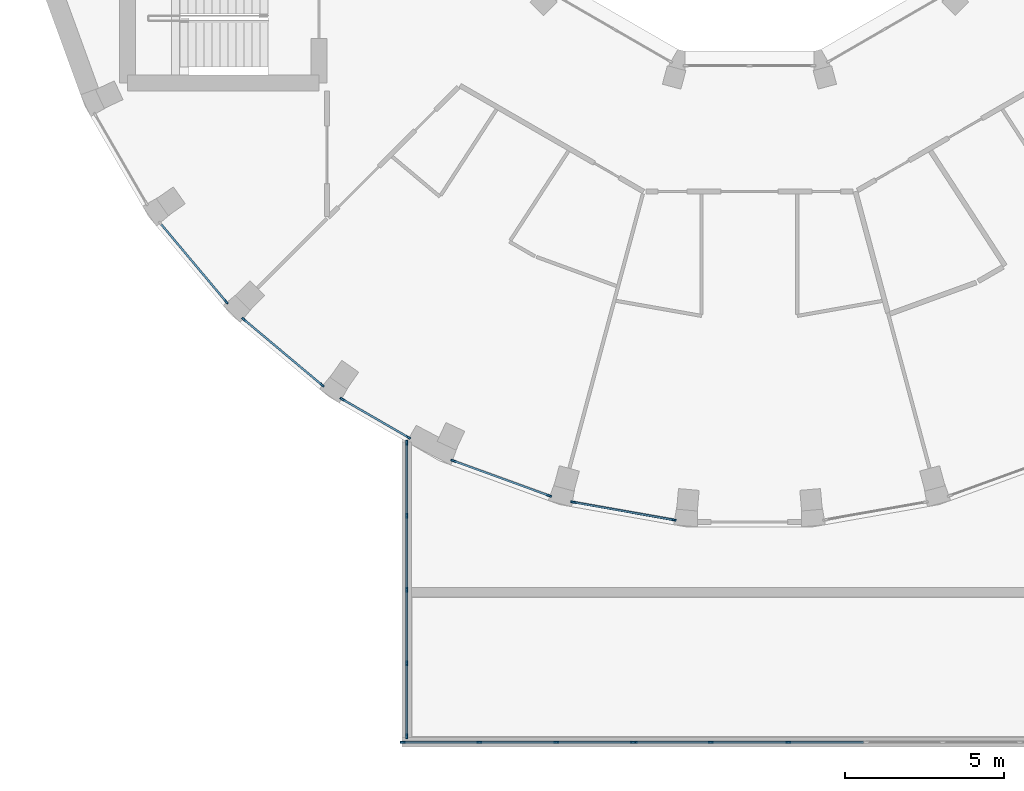
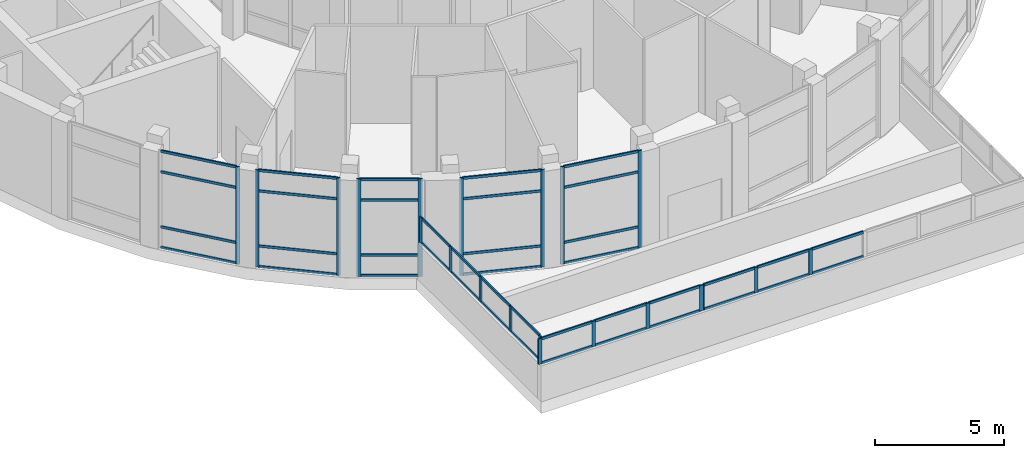
# One storey, part 2 of 19: 61 members, 8 elements without a shape of their own.
"""IFC4 building model written with IfcOpenShell, lengths in metres."""

import ifcopenshell
import ifcopenshell.guid

model = None  # the IFC model being written
_history = None  # IfcOwnerHistory: only IFC2X3 demands one
_inside = {}  # id of a spatial element -> (the spatial element, [elements in it])
_under = {}  # id of a project, library or spatial element -> (it, [spatial elements below it])
_declared = {}  # id of a project -> (the project, [libraries it declares])
_typed = {}  # id of a type object -> (the type object, [elements of that type])
_made_of = {}  # id of a material, layer set ... -> (it, [elements and type objects made of it])


def new_model(schema):
    """Start an empty IFC model of exactly this schema.

    Asked for "IFC4X3", IfcOpenShell would pick the latest addendum, in which some entities
    have other attributes; the version numbers below select the first issue.
    IFC2X3 requires an IfcOwnerHistory on every rooted entity: one is made here for all.
    """
    global model, _history
    if schema == "IFC4X3":
        model = ifcopenshell.file(schema_version=(4, 3, 0, 0))
    else:
        model = ifcopenshell.file(schema=schema)
    _inside.clear()
    _under.clear()
    _declared.clear()
    _typed.clear()
    _made_of.clear()
    _history = None
    if model.schema == "IFC2X3":
        org = make("IfcOrganization", Name="unknown")
        user = make(
            "IfcPersonAndOrganization",
            ThePerson=make("IfcPerson", FamilyName="unknown"),
            TheOrganization=org,
        )
        app = make(
            "IfcApplication",
            ApplicationDeveloper=org,
            Version="unknown",
            ApplicationFullName="unknown",
            ApplicationIdentifier="unknown",
        )
        _history = make(
            "IfcOwnerHistory",
            OwningUser=user,
            OwningApplication=app,
            ChangeAction="ADDED",
            CreationDate=0,
        )
    return model


def make(cls, **values):
    """One entity of the class cls with the attributes given. An attribute that is None is left unset."""
    return model.create_entity(
        cls, **{name: value for name, value in values.items() if value is not None}
    )


def rooted(cls, **values):
    """An entity with a GlobalId (a new one), such as an element, a storey or a relation."""
    return make(cls, GlobalId=ifcopenshell.guid.new(), OwnerHistory=_history, **values)


def si_unit(unit_type, name, prefix=None):
    """IfcSIUnit, for example si_unit("LENGTHUNIT", "METRE", prefix="MILLI")."""
    return make("IfcSIUnit", UnitType=unit_type, Prefix=prefix, Name=name)


def assignment(units):
    """IfcUnitAssignment: the units of a project."""
    return None if units is None else make("IfcUnitAssignment", Units=units)


def point(xyz):
    """IfcCartesianPoint."""
    return None if xyz is None else make("IfcCartesianPoint", Coordinates=xyz)


def direction(xyz):
    """IfcDirection."""
    return None if xyz is None else make("IfcDirection", DirectionRatios=xyz)


def frame(location, z_axis=None, x_axis=None):
    """IfcAxis2Placement3D, a coordinate frame: its origin and axes. An axis left out is left unset."""
    return make(
        "IfcAxis2Placement3D",
        Location=point(location),
        Axis=direction(z_axis),
        RefDirection=direction(x_axis),
    )


def frame_2d(location, x_axis=None):
    """IfcAxis2Placement2D, a coordinate frame in the plane: its origin and x axis."""
    return make(
        "IfcAxis2Placement2D", Location=point(location), RefDirection=direction(x_axis)
    )


def origin():
    """The frame at (0, 0, 0) with its axes left unset."""
    return frame((0.0, 0.0, 0.0))


def origin_2d():
    """The frame at (0, 0) in the plane with its x axis left unset."""
    return frame_2d((0.0, 0.0))


def place(relative_to, where):
    """IfcLocalPlacement: puts the frame where relative to a parent placement (None: the world)."""
    return make(
        "IfcLocalPlacement", PlacementRelTo=relative_to, RelativePlacement=where
    )


def context(
    kind, dimensions, precision=None, world=None, true_north=None, identifier=None
):
    """IfcGeometricRepresentationContext, for example the 3D "Model" context."""
    return make(
        "IfcGeometricRepresentationContext",
        ContextIdentifier=identifier,
        ContextType=kind,
        CoordinateSpaceDimension=dimensions,
        Precision=precision,
        WorldCoordinateSystem=world,
        TrueNorth=true_north,
    )


def subcontext(parent, identifier, kind, view, scale=None):
    """IfcGeometricRepresentationSubContext, for example "Body" below "Model"."""
    return make(
        "IfcGeometricRepresentationSubContext",
        ContextIdentifier=identifier,
        ContextType=kind,
        ParentContext=parent,
        TargetScale=scale,
        TargetView=view,
    )


def project(units=None, contexts=None):
    """IfcProject with its units and contexts."""
    return rooted(
        "IfcProject",
        Name="project",
        RepresentationContexts=contexts,
        UnitsInContext=assignment(units),
    )


def spatial(cls, under=None, at=None, **own):
    """A site, building, storey or space (cls), placed at a placement, below another one or the project."""
    s = rooted(cls, ObjectPlacement=at, **own)
    if under is not None:
        _under.setdefault(under.id(), (under, []))[1].append(s)
    return s


def profile(cls, at=None, kind="AREA", **sizes):
    """A parametric profile (cls). Its sizes go by their IFC names, for example OverallWidth=200.0."""
    return make(cls, ProfileType=kind, Position=at, **sizes)


def rectangle(**sizes):
    """IfcRectangleProfileDef."""
    return profile("IfcRectangleProfileDef", **sizes)


def extrude(swept, where, along, depth):
    """IfcExtrudedAreaSolid: the profile swept, set in the frame where, extruded along a direction by depth."""
    return make(
        "IfcExtrudedAreaSolid",
        SweptArea=swept,
        Position=where,
        ExtrudedDirection=direction(along),
        Depth=depth,
    )


def shape(context_of_items, identifier, shape_type, items):
    """IfcShapeRepresentation: the items that make up one representation, for example the "Body"."""
    return make(
        "IfcShapeRepresentation",
        ContextOfItems=context_of_items,
        RepresentationIdentifier=identifier,
        RepresentationType=shape_type,
        Items=items,
    )


def material(Name=None, Category=None):
    """IfcMaterial."""
    return make("IfcMaterial", Name=Name, Category=Category)


def layer(
    of_material, thickness, ventilated=None, Name=None, Category=None, Priority=None
):
    """IfcMaterialLayer: one layer of a wall or slab, of a material (None: an air gap)."""
    return make(
        "IfcMaterialLayer",
        Material=of_material,
        LayerThickness=thickness,
        IsVentilated=ventilated,
        Name=Name,
        Category=Category,
        Priority=Priority,
    )


def layer_set(layers, Name=None):
    """IfcMaterialLayerSet."""
    return make("IfcMaterialLayerSet", MaterialLayers=layers, LayerSetName=Name)


def material_profile(
    of_material, cross_section, Name=None, Category=None, Priority=None
):
    """IfcMaterialProfile: a cross section and its material."""
    return make(
        "IfcMaterialProfile",
        Name=Name,
        Material=of_material,
        Profile=cross_section,
        Priority=Priority,
        Category=Category,
    )


def profile_set(profiles, Name=None, composite=None):
    """IfcMaterialProfileSet."""
    return make(
        "IfcMaterialProfileSet",
        Name=Name,
        MaterialProfiles=profiles,
        CompositeProfile=composite,
    )


def made_of(thing, what):
    """Note that an element or type object is made of a material, layer set ...; save() writes the relation."""
    if what is not None:
        _made_of.setdefault(what.id(), (what, []))[1].append(thing)
    return thing


def type_object(cls, material=None, **own):
    """A type object (cls), such as IfcWallType, which elements share."""
    return made_of(rooted(cls, **own), material)


def element(
    cls,
    number,
    at=None,
    inside=None,
    cuts=None,
    type_object=None,
    material=None,
    context=None,
    identifier="Body",
    shape_type=None,
    held_by="IfcProductDefinitionShape",
    body=None,
    shapes=None,
    **own,
):
    """One element of the class cls, such as IfcWall. Its Tag is "e" and its number.

    at: its placement. inside: the storey or other place that contains it. cuts: it is an
    opening in that element (IfcRelVoidsElement). A single representation is given by context,
    identifier, shape_type and body (its items); several are given by shapes. held_by: the class
    of the entity that holds the representations. save() writes the other relations.
    """
    e = rooted(cls, Tag="e%d" % number, ObjectPlacement=at, **own)
    if body is not None:
        shapes = [shape(context, identifier, shape_type, body)]
    if shapes is not None:
        e.Representation = make(held_by, Representations=shapes)
    if inside is not None:
        _inside.setdefault(inside.id(), (inside, []))[1].append(e)
    if cuts is not None:
        rooted(
            "IfcRelVoidsElement", RelatingBuildingElement=cuts, RelatedOpeningElement=e
        )
    if type_object is not None:
        _typed.setdefault(type_object.id(), (type_object, []))[1].append(e)
    return made_of(e, material)


def aggregate(whole, parts):
    """IfcRelAggregates: a whole, such as a stair, and the parts it consists of."""
    return rooted("IfcRelAggregates", RelatingObject=whole, RelatedObjects=parts)


def save(model, path):
    """Write the relations noted so far, then the file.

    IfcRelAggregates (storeys below a building ...), IfcRelContainedInSpatialStructure (elements
    in a storey), IfcRelDefinesByType, IfcRelAssociatesMaterial and IfcRelDeclares: one each for
    every whole, place, type object, material and project.
    """
    for whole, parts in _under.values():
        aggregate(whole, parts)
    for where, things in _inside.values():
        rooted(
            "IfcRelContainedInSpatialStructure",
            RelatedElements=things,
            RelatingStructure=where,
        )
    for kind, things in _typed.values():
        rooted("IfcRelDefinesByType", RelatedObjects=things, RelatingType=kind)
    for what, things in _made_of.values():
        rooted("IfcRelAssociatesMaterial", RelatedObjects=things, RelatingMaterial=what)
    for by, libraries in _declared.values():
        rooted("IfcRelDeclares", RelatingContext=by, RelatedDefinitions=libraries)
    model.write(path)


model = new_model("IFC4")

# Units and contexts
model_context = context("Model", 3, precision=1e-05, world=origin(), true_north=direction((0.0, 1.0)))
body_context = subcontext(model_context, "Body", "Model", "MODEL_VIEW")
ifc_project = project(units=[si_unit("LENGTHUNIT", "METRE"), si_unit("AREAUNIT", "SQUARE_METRE"), si_unit("VOLUMEUNIT", "CUBIC_METRE"), si_unit("PLANEANGLEUNIT", "RADIAN"), si_unit("MASSUNIT", "GRAM", prefix="KILO")], contexts=[model_context])

# Site, building, storey
site_placement = place(None, origin())
site = spatial("IfcSite", under=ifc_project, at=site_placement, CompositionType="ELEMENT")
building_placement = place(site_placement, origin())
building = spatial("IfcBuilding", under=site, at=building_placement, Name="Saqina Gate Tower", CompositionType="ELEMENT")
storey_placement = place(building_placement, frame((0.0, 0.0, 224.699951171875)))
storey = spatial("IfcBuildingStorey", under=building, at=storey_placement, Name="L64", CompositionType="ELEMENT", Elevation=224.699951171875)

# Curtain wall, member
ifc_material_1 = material(Name="Aluminium glazing", Category="aluminium")
ifc_layer_1 = layer(ifc_material_1, 0.159912109375)
ifc_layer_set_1 = layer_set([ifc_layer_1], Name="CWT-2")
curtain_wall_type_1 = type_object("IfcCurtainWallType", Name="CWT-2", PredefinedType="NOTDEFINED", material=ifc_layer_set_1)
curtain_wall_1_placement = place(storey_placement, origin())
curtain_wall_1 = element("IfcCurtainWall", 1, at=curtain_wall_1_placement, inside=storey, type_object=curtain_wall_type_1, Name="Sky lounge glazing facet 22", PredefinedType="NOTDEFINED")
ifc_material_2 = material(Name="Aluminium", Category="aluminium")
ifc_material_profile_1 = material_profile(ifc_material_2, rectangle(XDim=0.06005859375, YDim=0.159912109375, at=origin_2d()), Name="Aluminium 60x160")
ifc_profile_set_1 = profile_set([ifc_material_profile_1], Name="Aluminium")
member_type_1 = type_object("IfcMemberType", Name="CWT-2M", PredefinedType="MULLION", material=ifc_profile_set_1)
member_1_placement = place(storey_placement, frame((-16.411376953125, -15.85400390625, 0.0), z_axis=(0.0, 0.0, 1.0), x_axis=(0.766046452821, 0.642785214609, 0.0)))
member_1 = element("IfcMember", 2, at=member_1_placement, type_object=member_type_1, Name="CW2-22 mullion 2", PredefinedType="MULLION", context=body_context, shape_type="SweptSolid", body=[
    extrude(rectangle(XDim=0.06005859375, YDim=0.159912109375, at=origin_2d()), origin(), (0.0, 0.0, 1.0), 4.60009765625),
])

# Curtain wall, members
curtain_wall_2_placement = place(storey_placement, origin())
curtain_wall_2 = element("IfcCurtainWall", 3, at=curtain_wall_2_placement, inside=storey, type_object=curtain_wall_type_1, Name="Sky lounge glazing facet 23", PredefinedType="NOTDEFINED")
member_2_placement = place(storey_placement, frame((-15.85400390625, -16.411376953125, 0.0), z_axis=(0.0, 0.0, 1.0), x_axis=(0.642785214609, 0.766046452821, 0.0)))
member_2 = element("IfcMember", 4, at=member_2_placement, type_object=member_type_1, Name="CW2-23 mullion 1", PredefinedType="MULLION", context=body_context, shape_type="SweptSolid", body=[
    extrude(rectangle(XDim=0.06005859375, YDim=0.159912109375, at=origin_2d()), origin(), (0.0, 0.0, 1.0), 4.60009765625),
])
member_3_placement = place(storey_placement, frame((-13.408935546875, -18.462890625, 0.0), z_axis=(0.0, 0.0, 1.0), x_axis=(0.642785214609, 0.766046452821, 0.0)))
member_3 = element("IfcMember", 5, at=member_3_placement, type_object=member_type_1, Name="CW2-23 mullion 2", PredefinedType="MULLION", context=body_context, shape_type="SweptSolid", body=[
    extrude(rectangle(XDim=0.06005859375, YDim=0.159912109375, at=origin_2d()), origin(), (0.0, 0.0, 1.0), 4.60009765625),
])

curtain_wall_3_placement = place(storey_placement, origin())
curtain_wall_3 = element("IfcCurtainWall", 6, at=curtain_wall_3_placement, inside=storey, type_object=curtain_wall_type_1, Name="Sky lounge glazing facet 24", PredefinedType="NOTDEFINED")
member_4_placement = place(storey_placement, frame((-12.763427734375, -18.9150390625, 0.0), z_axis=(0.0, 0.0, 1.0), x_axis=(0.499971836646, 0.866041663294, 0.0)))
member_4 = element("IfcMember", 7, at=member_4_placement, type_object=member_type_1, Name="CW2-24 mullion 1", PredefinedType="MULLION", context=body_context, shape_type="SweptSolid", body=[
    extrude(rectangle(XDim=0.06005859375, YDim=0.159912109375, at=origin_2d()), origin(), (0.0, 0.0, 1.0), 4.60009765625),
])
member_5_placement = place(storey_placement, frame((-10.700927734375, -20.105712890625, 0.0), z_axis=(0.0, 0.0, 1.0), x_axis=(0.499971836646, 0.866041663294, 0.0)))
member_5 = element("IfcMember", 8, at=member_5_placement, type_object=member_type_1, Name="CW2-24 mullion 2", PredefinedType="MULLION", context=body_context, shape_type="SweptSolid", body=[
    extrude(rectangle(XDim=0.06005859375, YDim=0.159912109375, at=origin_2d()), origin(), (0.0, 0.0, 1.0), 4.60009765625),
])

curtain_wall_4_placement = place(storey_placement, origin())
curtain_wall_4 = element("IfcCurtainWall", 9, at=curtain_wall_4_placement, inside=storey, type_object=curtain_wall_type_1, Name="Sky lounge glazing facet 25", PredefinedType="NOTDEFINED")
member_6_placement = place(storey_placement, frame((-9.284912109375, -20.843994140625, 0.0), z_axis=(0.0, 0.0, 1.0), x_axis=(0.342007258437, 0.939697310402, 0.0)))
member_6 = element("IfcMember", 10, at=member_6_placement, type_object=member_type_1, Name="CW2-25 mullion 1", PredefinedType="MULLION", context=body_context, shape_type="SweptSolid", body=[
    extrude(rectangle(XDim=0.06005859375, YDim=0.159912109375, at=origin_2d()), origin(), (0.0, 0.0, 1.0), 4.60009765625),
])
member_7_placement = place(storey_placement, frame((-6.28564453125, -21.935546875, 0.0), z_axis=(0.0, 0.0, 1.0), x_axis=(0.342007258437, 0.939697310402, 0.0)))
member_7 = element("IfcMember", 11, at=member_7_placement, type_object=member_type_1, Name="CW2-25 mullion 2", PredefinedType="MULLION", context=body_context, shape_type="SweptSolid", body=[
    extrude(rectangle(XDim=0.06005859375, YDim=0.159912109375, at=origin_2d()), origin(), (0.0, 0.0, 1.0), 4.60009765625),
])

curtain_wall_5_placement = place(storey_placement, origin())
curtain_wall_5 = element("IfcCurtainWall", 12, at=curtain_wall_5_placement, inside=storey, type_object=curtain_wall_type_1, Name="Sky lounge glazing facet 26", PredefinedType="NOTDEFINED")
member_8_placement = place(storey_placement, frame((-5.524169921875, -22.139404296875, 0.0), z_axis=(0.0, 0.0, 1.0), x_axis=(0.173662526718, 0.984805222779, 0.0)))
member_8 = element("IfcMember", 13, at=member_8_placement, type_object=member_type_1, Name="CW2-26 mullion 1", PredefinedType="MULLION", context=body_context, shape_type="SweptSolid", body=[
    extrude(rectangle(XDim=0.06005859375, YDim=0.159912109375, at=origin_2d()), origin(), (0.0, 0.0, 1.0), 4.60009765625),
])
member_9_placement = place(storey_placement, frame((-2.381103515625, -22.69384765625, 0.0), z_axis=(0.0, 0.0, 1.0), x_axis=(0.173662526718, 0.984805222779, 0.0)))
member_9 = element("IfcMember", 14, at=member_9_placement, type_object=member_type_1, Name="CW2-26 mullion 2", PredefinedType="MULLION", context=body_context, shape_type="SweptSolid", body=[
    extrude(rectangle(XDim=0.06005859375, YDim=0.159912109375, at=origin_2d()), origin(), (0.0, 0.0, 1.0), 4.60009765625),
])

# Member
ifc_material_3 = material(Name="Aluminium", Category="aluminium")
ifc_material_profile_2 = material_profile(ifc_material_3, rectangle(XDim=0.06005859375, YDim=0.1201171875, at=origin_2d()), Name="Aluminium 60x120")
ifc_profile_set_2 = profile_set([ifc_material_profile_2], Name="Aluminium")
member_type_2 = type_object("IfcMemberType", Name="CWT-2T", PredefinedType="USERDEFINED", material=ifc_profile_set_2)
member_10_placement = place(storey_placement, frame((-18.443603515625, -13.431884765625, 0.030029296875), z_axis=(0.642749544244, -0.766076382206, 0.0), x_axis=(0.766076382206, 0.642749544244, 0.0)))
member_10 = element("IfcMember", 15, at=member_10_placement, type_object=member_type_2, Name="CW2-22 transom 1.1", ObjectType="TRANSOM", PredefinedType="USERDEFINED", context=body_context, shape_type="SweptSolid", body=[
    extrude(rectangle(XDim=0.06005859375, YDim=0.1201171875, at=origin_2d()), origin(), (0.0, 0.0, 1.0), 3.1318359375),
])

member_11_placement = place(storey_placement, frame((-18.443603515625, -13.431884765625, 1.0), z_axis=(0.642749544244, -0.766076382206, 0.0), x_axis=(0.766076382206, 0.642749544244, 0.0)))
member_11 = element("IfcMember", 16, at=member_11_placement, type_object=member_type_2, Name="CW2-22 transom 1.2", ObjectType="TRANSOM", PredefinedType="USERDEFINED", context=body_context, shape_type="SweptSolid", body=[
    extrude(rectangle(XDim=0.06005859375, YDim=0.1201171875, at=origin_2d()), origin(), (0.0, 0.0, 1.0), 3.1318359375),
])

member_12_placement = place(storey_placement, frame((-18.443603515625, -13.431884765625, 3.60009765625), z_axis=(0.642749544244, -0.766076382206, 0.0), x_axis=(0.766076382206, 0.642749544244, 0.0)))
member_12 = element("IfcMember", 17, at=member_12_placement, type_object=member_type_2, Name="CW2-22 transom 1.3", ObjectType="TRANSOM", PredefinedType="USERDEFINED", context=body_context, shape_type="SweptSolid", body=[
    extrude(rectangle(XDim=0.06005859375, YDim=0.1201171875, at=origin_2d()), origin(), (0.0, 0.0, 1.0), 3.1318359375),
])

member_13_placement = place(storey_placement, frame((-18.443603515625, -13.431884765625, 4.570068359375), z_axis=(0.642749544244, -0.766076382206, 0.0), x_axis=(0.766076382206, 0.642749544244, 0.0)))
member_13 = element("IfcMember", 18, at=member_13_placement, type_object=member_type_2, Name="CW2-22 transom 1.4", ObjectType="TRANSOM", PredefinedType="USERDEFINED", context=body_context, shape_type="SweptSolid", body=[
    extrude(rectangle(XDim=0.06005859375, YDim=0.1201171875, at=origin_2d()), origin(), (0.0, 0.0, 1.0), 3.1318359375),
])

aggregate(curtain_wall_1, [member_1, member_10, member_11, member_12, member_13])

member_14_placement = place(storey_placement, frame((-15.8310546875, -16.4306640625, 0.030029296875), z_axis=(0.766076382206, -0.642749544244, 0.0), x_axis=(0.642749544244, 0.766076382206, 0.0)))
member_14 = element("IfcMember", 19, at=member_14_placement, type_object=member_type_2, Name="CW2-23 transom 1.1", ObjectType="TRANSOM", PredefinedType="USERDEFINED", context=body_context, shape_type="SweptSolid", body=[
    extrude(rectangle(XDim=0.06005859375, YDim=0.1201171875, at=origin_2d()), origin(), (0.0, 0.0, 1.0), 3.1318359375),
])

member_15_placement = place(storey_placement, frame((-15.8310546875, -16.4306640625, 1.0), z_axis=(0.766076382206, -0.642749544244, 0.0), x_axis=(0.642749544244, 0.766076382206, 0.0)))
member_15 = element("IfcMember", 20, at=member_15_placement, type_object=member_type_2, Name="CW2-23 transom 1.2", ObjectType="TRANSOM", PredefinedType="USERDEFINED", context=body_context, shape_type="SweptSolid", body=[
    extrude(rectangle(XDim=0.06005859375, YDim=0.1201171875, at=origin_2d()), origin(), (0.0, 0.0, 1.0), 3.1318359375),
])

member_16_placement = place(storey_placement, frame((-15.8310546875, -16.4306640625, 3.60009765625), z_axis=(0.766076382206, -0.642749544244, 0.0), x_axis=(0.642749544244, 0.766076382206, 0.0)))
member_16 = element("IfcMember", 21, at=member_16_placement, type_object=member_type_2, Name="CW2-23 transom 1.3", ObjectType="TRANSOM", PredefinedType="USERDEFINED", context=body_context, shape_type="SweptSolid", body=[
    extrude(rectangle(XDim=0.06005859375, YDim=0.1201171875, at=origin_2d()), origin(), (0.0, 0.0, 1.0), 3.1318359375),
])

member_17_placement = place(storey_placement, frame((-15.8310546875, -16.4306640625, 4.570068359375), z_axis=(0.766076382206, -0.642749544244, 0.0), x_axis=(0.642749544244, 0.766076382206, 0.0)))
member_17 = element("IfcMember", 22, at=member_17_placement, type_object=member_type_2, Name="CW2-23 transom 1.4", ObjectType="TRANSOM", PredefinedType="USERDEFINED", context=body_context, shape_type="SweptSolid", body=[
    extrude(rectangle(XDim=0.06005859375, YDim=0.1201171875, at=origin_2d()), origin(), (0.0, 0.0, 1.0), 3.1318359375),
])

aggregate(curtain_wall_2, [member_2, member_3, member_14, member_15, member_16, member_17])

member_18_placement = place(storey_placement, frame((-12.7373046875, -18.929931640625, 0.030029296875), z_axis=(0.866020945878, -0.500007721242, 0.0), x_axis=(0.500007721242, 0.866020945878, 0.0)))
member_18 = element("IfcMember", 23, at=member_18_placement, type_object=member_type_2, Name="CW2-24 transom 1.1", ObjectType="TRANSOM", PredefinedType="USERDEFINED", context=body_context, shape_type="SweptSolid", body=[
    extrude(rectangle(XDim=0.06005859375, YDim=0.1201171875, at=origin_2d()), origin(), (0.0, 0.0, 1.0), 2.3212890625),
])

member_19_placement = place(storey_placement, frame((-12.7373046875, -18.929931640625, 1.0), z_axis=(0.866020945878, -0.500007721242, 0.0), x_axis=(0.500007721242, 0.866020945878, 0.0)))
member_19 = element("IfcMember", 24, at=member_19_placement, type_object=member_type_2, Name="CW2-24 transom 1.2", ObjectType="TRANSOM", PredefinedType="USERDEFINED", context=body_context, shape_type="SweptSolid", body=[
    extrude(rectangle(XDim=0.06005859375, YDim=0.1201171875, at=origin_2d()), origin(), (0.0, 0.0, 1.0), 2.3212890625),
])

member_20_placement = place(storey_placement, frame((-12.7373046875, -18.929931640625, 3.60009765625), z_axis=(0.866020945878, -0.500007721242, 0.0), x_axis=(0.500007721242, 0.866020945878, 0.0)))
member_20 = element("IfcMember", 25, at=member_20_placement, type_object=member_type_2, Name="CW2-24 transom 1.3", ObjectType="TRANSOM", PredefinedType="USERDEFINED", context=body_context, shape_type="SweptSolid", body=[
    extrude(rectangle(XDim=0.06005859375, YDim=0.1201171875, at=origin_2d()), origin(), (0.0, 0.0, 1.0), 2.3212890625),
])

member_21_placement = place(storey_placement, frame((-12.7373046875, -18.929931640625, 4.570068359375), z_axis=(0.866020945878, -0.500007721242, 0.0), x_axis=(0.500007721242, 0.866020945878, 0.0)))
member_21 = element("IfcMember", 26, at=member_21_placement, type_object=member_type_2, Name="CW2-24 transom 1.4", ObjectType="TRANSOM", PredefinedType="USERDEFINED", context=body_context, shape_type="SweptSolid", body=[
    extrude(rectangle(XDim=0.06005859375, YDim=0.1201171875, at=origin_2d()), origin(), (0.0, 0.0, 1.0), 2.3212890625),
])

aggregate(curtain_wall_3, [member_4, member_5, member_18, member_19, member_20, member_21])

member_22_placement = place(storey_placement, frame((-9.256591796875, -20.854248046875, 0.030029296875), z_axis=(0.939700067025, -0.341999684258, 0.0), x_axis=(0.341999684258, 0.939700067025, 0.0)))
member_22 = element("IfcMember", 27, at=member_22_placement, type_object=member_type_2, Name="CW2-25 transom 1.1", ObjectType="TRANSOM", PredefinedType="USERDEFINED", context=body_context, shape_type="SweptSolid", body=[
    extrude(rectangle(XDim=0.06005859375, YDim=0.1201171875, at=origin_2d()), origin(), (0.0, 0.0, 1.0), 3.131591796875),
])

member_23_placement = place(storey_placement, frame((-9.256591796875, -20.854248046875, 1.0), z_axis=(0.939700067025, -0.341999684258, 0.0), x_axis=(0.341999684258, 0.939700067025, 0.0)))
member_23 = element("IfcMember", 28, at=member_23_placement, type_object=member_type_2, Name="CW2-25 transom 1.2", ObjectType="TRANSOM", PredefinedType="USERDEFINED", context=body_context, shape_type="SweptSolid", body=[
    extrude(rectangle(XDim=0.06005859375, YDim=0.1201171875, at=origin_2d()), origin(), (0.0, 0.0, 1.0), 3.131591796875),
])

member_24_placement = place(storey_placement, frame((-9.256591796875, -20.854248046875, 3.60009765625), z_axis=(0.939700067025, -0.341999684258, 0.0), x_axis=(0.341999684258, 0.939700067025, 0.0)))
member_24 = element("IfcMember", 29, at=member_24_placement, type_object=member_type_2, Name="CW2-25 transom 1.3", ObjectType="TRANSOM", PredefinedType="USERDEFINED", context=body_context, shape_type="SweptSolid", body=[
    extrude(rectangle(XDim=0.06005859375, YDim=0.1201171875, at=origin_2d()), origin(), (0.0, 0.0, 1.0), 3.131591796875),
])

member_25_placement = place(storey_placement, frame((-9.256591796875, -20.854248046875, 4.570068359375), z_axis=(0.939700067025, -0.341999684258, 0.0), x_axis=(0.341999684258, 0.939700067025, 0.0)))
member_25 = element("IfcMember", 30, at=member_25_placement, type_object=member_type_2, Name="CW2-25 transom 1.4", ObjectType="TRANSOM", PredefinedType="USERDEFINED", context=body_context, shape_type="SweptSolid", body=[
    extrude(rectangle(XDim=0.06005859375, YDim=0.1201171875, at=origin_2d()), origin(), (0.0, 0.0, 1.0), 3.131591796875),
])

aggregate(curtain_wall_4, [member_6, member_7, member_22, member_23, member_24, member_25])

member_26_placement = place(storey_placement, frame((-5.49462890625, -22.144775390625, 0.030029296875), z_axis=(0.984812584506, -0.173620774675, 0.0), x_axis=(0.173620774675, 0.984812584506, 0.0)))
member_26 = element("IfcMember", 31, at=member_26_placement, type_object=member_type_2, Name="CW2-26 transom 1.1", ObjectType="TRANSOM", PredefinedType="USERDEFINED", context=body_context, shape_type="SweptSolid", body=[
    extrude(rectangle(XDim=0.06005859375, YDim=0.1201171875, at=origin_2d()), origin(), (0.0, 0.0, 1.0), 3.131591796875),
])

member_27_placement = place(storey_placement, frame((-5.49462890625, -22.144775390625, 1.0), z_axis=(0.984812584506, -0.173620774675, 0.0), x_axis=(0.173620774675, 0.984812584506, 0.0)))
member_27 = element("IfcMember", 32, at=member_27_placement, type_object=member_type_2, Name="CW2-26 transom 1.2", ObjectType="TRANSOM", PredefinedType="USERDEFINED", context=body_context, shape_type="SweptSolid", body=[
    extrude(rectangle(XDim=0.06005859375, YDim=0.1201171875, at=origin_2d()), origin(), (0.0, 0.0, 1.0), 3.131591796875),
])

member_28_placement = place(storey_placement, frame((-5.49462890625, -22.144775390625, 3.60009765625), z_axis=(0.984812584506, -0.173620774675, 0.0), x_axis=(0.173620774675, 0.984812584506, 0.0)))
member_28 = element("IfcMember", 33, at=member_28_placement, type_object=member_type_2, Name="CW2-26 transom 1.3", ObjectType="TRANSOM", PredefinedType="USERDEFINED", context=body_context, shape_type="SweptSolid", body=[
    extrude(rectangle(XDim=0.06005859375, YDim=0.1201171875, at=origin_2d()), origin(), (0.0, 0.0, 1.0), 3.131591796875),
])

member_29_placement = place(storey_placement, frame((-5.49462890625, -22.144775390625, 4.570068359375), z_axis=(0.984812584506, -0.173620774675, 0.0), x_axis=(0.173620774675, 0.984812584506, 0.0)))
member_29 = element("IfcMember", 34, at=member_29_placement, type_object=member_type_2, Name="CW2-26 transom 1.4", ObjectType="TRANSOM", PredefinedType="USERDEFINED", context=body_context, shape_type="SweptSolid", body=[
    extrude(rectangle(XDim=0.06005859375, YDim=0.1201171875, at=origin_2d()), origin(), (0.0, 0.0, 1.0), 3.131591796875),
])

aggregate(curtain_wall_5, [member_8, member_9, member_26, member_27, member_28, member_29])

# Curtain wall, members
ifc_material_4 = material(Name="Aluminium glazing", Category="aluminium")
ifc_layer_2 = layer(ifc_material_4, 0.159912109375)
ifc_layer_set_2 = layer_set([ifc_layer_2], Name="CWT-6")
curtain_wall_type_2 = type_object("IfcCurtainWallType", Name="CWT-6", PredefinedType="NOTDEFINED", material=ifc_layer_set_2)
curtain_wall_6_placement = place(storey_placement, origin())
curtain_wall_6 = element("IfcCurtainWall", 35, at=curtain_wall_6_placement, inside=storey, type_object=curtain_wall_type_2, Name="Sky pool glass S1", PredefinedType="NOTDEFINED")
ifc_material_5 = material(Name="Aluminium", Category="aluminium")
ifc_material_profile_3 = material_profile(ifc_material_5, rectangle(XDim=0.06005859375, YDim=0.159912109375, at=origin_2d()), Name="Aluminium 60x160")
ifc_profile_set_3 = profile_set([ifc_material_profile_3], Name="Aluminium")
member_type_3 = type_object("IfcMemberType", Name="CWT-6M", PredefinedType="MULLION", material=ifc_profile_set_3)
member_30_placement = place(storey_placement, frame((-10.8701171875, -29.66259765625, 1.699951171875), z_axis=(0.0, 0.0, 1.0), x_axis=(0.0, 1.0, 0.0)))
member_30 = element("IfcMember", 36, at=member_30_placement, type_object=member_type_3, Name="CW6-S1 mullion 1", PredefinedType="MULLION", context=body_context, shape_type="SweptSolid", body=[
    extrude(rectangle(XDim=0.06005859375, YDim=0.159912109375, at=origin_2d()), origin(), (0.0, 0.0, 1.0), 1.2001953125),
])
member_31_placement = place(storey_placement, frame((-8.477783203125, -29.66259765625, 1.699951171875), z_axis=(0.0, 0.0, 1.0), x_axis=(0.0, 1.0, 0.0)))
member_31 = element("IfcMember", 37, at=member_31_placement, type_object=member_type_3, Name="CW6-S1 mullion 2", PredefinedType="MULLION", context=body_context, shape_type="SweptSolid", body=[
    extrude(rectangle(XDim=0.06005859375, YDim=0.159912109375, at=origin_2d()), origin(), (0.0, 0.0, 1.0), 1.2001953125),
])
member_32_placement = place(storey_placement, frame((-6.055419921875, -29.66259765625, 1.699951171875), z_axis=(0.0, 0.0, 1.0), x_axis=(0.0, 1.0, 0.0)))
member_32 = element("IfcMember", 38, at=member_32_placement, type_object=member_type_3, Name="CW6-S1 mullion 3", PredefinedType="MULLION", context=body_context, shape_type="SweptSolid", body=[
    extrude(rectangle(XDim=0.06005859375, YDim=0.159912109375, at=origin_2d()), origin(), (0.0, 0.0, 1.0), 1.2001953125),
])
member_33_placement = place(storey_placement, frame((-3.663330078125, -29.66259765625, 1.699951171875), z_axis=(0.0, 0.0, 1.0), x_axis=(0.0, 1.0, 0.0)))
member_33 = element("IfcMember", 39, at=member_33_placement, type_object=member_type_3, Name="CW6-S1 mullion 4", PredefinedType="MULLION", context=body_context, shape_type="SweptSolid", body=[
    extrude(rectangle(XDim=0.06005859375, YDim=0.159912109375, at=origin_2d()), origin(), (0.0, 0.0, 1.0), 1.2001953125),
])

curtain_wall_7_placement = place(storey_placement, origin())
curtain_wall_7 = element("IfcCurtainWall", 40, at=curtain_wall_7_placement, inside=storey, type_object=curtain_wall_type_2, Name="Sky pool glass S2", PredefinedType="NOTDEFINED")
member_34_placement = place(storey_placement, frame((-3.603271484375, -29.66259765625, 1.699951171875), z_axis=(0.0, 0.0, 1.0), x_axis=(0.0, 1.0, 0.0)))
member_34 = element("IfcMember", 41, at=member_34_placement, type_object=member_type_3, Name="CW6-S2 mullion 1", PredefinedType="MULLION", context=body_context, shape_type="SweptSolid", body=[
    extrude(rectangle(XDim=0.06005859375, YDim=0.159912109375, at=origin_2d()), origin(), (0.0, 0.0, 1.0), 1.2001953125),
])
member_35_placement = place(storey_placement, frame((-1.211181640625, -29.66259765625, 1.699951171875), z_axis=(0.0, 0.0, 1.0), x_axis=(0.0, 1.0, 0.0)))
member_35 = element("IfcMember", 42, at=member_35_placement, type_object=member_type_3, Name="CW6-S2 mullion 2", PredefinedType="MULLION", context=body_context, shape_type="SweptSolid", body=[
    extrude(rectangle(XDim=0.06005859375, YDim=0.159912109375, at=origin_2d()), origin(), (0.0, 0.0, 1.0), 1.2001953125),
])
member_36_placement = place(storey_placement, frame((1.211181640625, -29.66259765625, 1.699951171875), z_axis=(0.0, 0.0, 1.0), x_axis=(0.0, 1.0, 0.0)))
member_36 = element("IfcMember", 43, at=member_36_placement, type_object=member_type_3, Name="CW6-S2 mullion 3", PredefinedType="MULLION", context=body_context, shape_type="SweptSolid", body=[
    extrude(rectangle(XDim=0.06005859375, YDim=0.159912109375, at=origin_2d()), origin(), (0.0, 0.0, 1.0), 1.2001953125),
])

curtain_wall_8_placement = place(storey_placement, origin())
curtain_wall_8 = element("IfcCurtainWall", 44, at=curtain_wall_8_placement, inside=storey, type_object=curtain_wall_type_2, Name="Sky pool glass W", PredefinedType="NOTDEFINED")
member_37_placement = place(storey_placement, frame((-10.75, -29.482421875, 1.699951171875), z_axis=(0.0, 0.0, 1.0), x_axis=(-1.0, 0.0, 0.0)))
member_37 = element("IfcMember", 45, at=member_37_placement, type_object=member_type_3, Name="CW6-W mullion 1", PredefinedType="MULLION", context=body_context, shape_type="SweptSolid", body=[
    extrude(rectangle(XDim=0.06005859375, YDim=0.159912109375, at=origin_2d()), origin(), (0.0, 0.0, 1.0), 1.2001953125),
])
member_38_placement = place(storey_placement, frame((-10.75, -27.197021484375, 1.699951171875), z_axis=(0.0, 0.0, 1.0), x_axis=(-1.0, 0.0, 0.0)))
member_38 = element("IfcMember", 46, at=member_38_placement, type_object=member_type_3, Name="CW6-W mullion 2", PredefinedType="MULLION", context=body_context, shape_type="SweptSolid", body=[
    extrude(rectangle(XDim=0.06005859375, YDim=0.159912109375, at=origin_2d()), origin(), (0.0, 0.0, 1.0), 1.2001953125),
])
member_39_placement = place(storey_placement, frame((-10.75, -24.881591796875, 1.699951171875), z_axis=(0.0, 0.0, 1.0), x_axis=(-1.0, 0.0, 0.0)))
member_39 = element("IfcMember", 47, at=member_39_placement, type_object=member_type_3, Name="CW6-W mullion 3", PredefinedType="MULLION", context=body_context, shape_type="SweptSolid", body=[
    extrude(rectangle(XDim=0.06005859375, YDim=0.159912109375, at=origin_2d()), origin(), (0.0, 0.0, 1.0), 1.2001953125),
])
member_40_placement = place(storey_placement, frame((-10.75, -22.56591796875, 1.699951171875), z_axis=(0.0, 0.0, 1.0), x_axis=(-1.0, 0.0, 0.0)))
member_40 = element("IfcMember", 48, at=member_40_placement, type_object=member_type_3, Name="CW6-W mullion 4", PredefinedType="MULLION", context=body_context, shape_type="SweptSolid", body=[
    extrude(rectangle(XDim=0.06005859375, YDim=0.159912109375, at=origin_2d()), origin(), (0.0, 0.0, 1.0), 1.2001953125),
])
member_41_placement = place(storey_placement, frame((-10.75, -20.280517578125, 1.699951171875), z_axis=(0.0, 0.0, 1.0), x_axis=(-1.0, 0.0, 0.0)))
member_41 = element("IfcMember", 49, at=member_41_placement, type_object=member_type_3, Name="CW6-W mullion 5", PredefinedType="MULLION", context=body_context, shape_type="SweptSolid", body=[
    extrude(rectangle(XDim=0.06005859375, YDim=0.159912109375, at=origin_2d()), origin(), (0.0, 0.0, 1.0), 1.2001953125),
])

# Member
ifc_material_6 = material(Name="Aluminium", Category="aluminium")
ifc_material_profile_4 = material_profile(ifc_material_6, rectangle(XDim=0.06005859375, YDim=0.1201171875, at=origin_2d()), Name="Aluminium 60x120")
ifc_profile_set_4 = profile_set([ifc_material_profile_4], Name="Aluminium")
member_type_4 = type_object("IfcMemberType", Name="CWT-6T", PredefinedType="USERDEFINED", material=ifc_profile_set_4)
member_42_placement = place(storey_placement, frame((-10.840087890625, -29.66259765625, 1.72998046875), z_axis=(1.0, 0.0, 0.0), x_axis=(0.0, 1.0, 0.0)))
member_42 = element("IfcMember", 50, at=member_42_placement, type_object=member_type_4, Name="CW6-S1 transom 1.1", ObjectType="TRANSOM", PredefinedType="USERDEFINED", context=body_context, shape_type="SweptSolid", body=[
    extrude(rectangle(XDim=0.06005859375, YDim=0.1201171875, at=origin_2d()), origin(), (0.0, 0.0, 1.0), 2.332275390625),
])

member_43_placement = place(storey_placement, frame((-10.840087890625, -29.66259765625, 2.8701171875), z_axis=(1.0, 0.0, 0.0), x_axis=(0.0, 1.0, 0.0)))
member_43 = element("IfcMember", 51, at=member_43_placement, type_object=member_type_4, Name="CW6-S1 transom 1.2", ObjectType="TRANSOM", PredefinedType="USERDEFINED", context=body_context, shape_type="SweptSolid", body=[
    extrude(rectangle(XDim=0.06005859375, YDim=0.1201171875, at=origin_2d()), origin(), (0.0, 0.0, 1.0), 2.332275390625),
])

member_44_placement = place(storey_placement, frame((-8.44775390625, -29.66259765625, 1.72998046875), z_axis=(1.0, 0.0, 0.0), x_axis=(0.0, 1.0, 0.0)))
member_44 = element("IfcMember", 52, at=member_44_placement, type_object=member_type_4, Name="CW6-S1 transom 2.1", ObjectType="TRANSOM", PredefinedType="USERDEFINED", context=body_context, shape_type="SweptSolid", body=[
    extrude(rectangle(XDim=0.06005859375, YDim=0.1201171875, at=origin_2d()), origin(), (0.0, 0.0, 1.0), 2.3623046875),
])

member_45_placement = place(storey_placement, frame((-8.44775390625, -29.66259765625, 2.8701171875), z_axis=(1.0, 0.0, 0.0), x_axis=(0.0, 1.0, 0.0)))
member_45 = element("IfcMember", 53, at=member_45_placement, type_object=member_type_4, Name="CW6-S1 transom 2.2", ObjectType="TRANSOM", PredefinedType="USERDEFINED", context=body_context, shape_type="SweptSolid", body=[
    extrude(rectangle(XDim=0.06005859375, YDim=0.1201171875, at=origin_2d()), origin(), (0.0, 0.0, 1.0), 2.3623046875),
])

member_46_placement = place(storey_placement, frame((-6.025634765625, -29.66259765625, 1.72998046875), z_axis=(1.0, 0.0, 0.0), x_axis=(0.0, 1.0, 0.0)))
member_46 = element("IfcMember", 54, at=member_46_placement, type_object=member_type_4, Name="CW6-S1 transom 3.1", ObjectType="TRANSOM", PredefinedType="USERDEFINED", context=body_context, shape_type="SweptSolid", body=[
    extrude(rectangle(XDim=0.06005859375, YDim=0.1201171875, at=origin_2d()), origin(), (0.0, 0.0, 1.0), 2.332275390625),
])

member_47_placement = place(storey_placement, frame((-6.025634765625, -29.66259765625, 2.8701171875), z_axis=(1.0, 0.0, 0.0), x_axis=(0.0, 1.0, 0.0)))
member_47 = element("IfcMember", 55, at=member_47_placement, type_object=member_type_4, Name="CW6-S1 transom 3.2", ObjectType="TRANSOM", PredefinedType="USERDEFINED", context=body_context, shape_type="SweptSolid", body=[
    extrude(rectangle(XDim=0.06005859375, YDim=0.1201171875, at=origin_2d()), origin(), (0.0, 0.0, 1.0), 2.332275390625),
])

aggregate(curtain_wall_6, [member_30, member_31, member_32, member_33, member_42, member_43, member_44, member_45, member_46, member_47])

member_48_placement = place(storey_placement, frame((-3.5732421875, -29.66259765625, 1.72998046875), z_axis=(1.0, 0.0, 0.0), x_axis=(0.0, 1.0, 0.0)))
member_48 = element("IfcMember", 56, at=member_48_placement, type_object=member_type_4, Name="CW6-S2 transom 1.1", ObjectType="TRANSOM", PredefinedType="USERDEFINED", context=body_context, shape_type="SweptSolid", body=[
    extrude(rectangle(XDim=0.06005859375, YDim=0.1201171875, at=origin_2d()), origin(), (0.0, 0.0, 1.0), 2.33203125),
])

member_49_placement = place(storey_placement, frame((-3.5732421875, -29.66259765625, 2.8701171875), z_axis=(1.0, 0.0, 0.0), x_axis=(0.0, 1.0, 0.0)))
member_49 = element("IfcMember", 57, at=member_49_placement, type_object=member_type_4, Name="CW6-S2 transom 1.2", ObjectType="TRANSOM", PredefinedType="USERDEFINED", context=body_context, shape_type="SweptSolid", body=[
    extrude(rectangle(XDim=0.06005859375, YDim=0.1201171875, at=origin_2d()), origin(), (0.0, 0.0, 1.0), 2.33203125),
])

member_50_placement = place(storey_placement, frame((-1.18115234375, -29.66259765625, 1.72998046875), z_axis=(1.0, 0.0, 0.0), x_axis=(0.0, 1.0, 0.0)))
member_50 = element("IfcMember", 58, at=member_50_placement, type_object=member_type_4, Name="CW6-S2 transom 2.1", ObjectType="TRANSOM", PredefinedType="USERDEFINED", context=body_context, shape_type="SweptSolid", body=[
    extrude(rectangle(XDim=0.06005859375, YDim=0.1201171875, at=origin_2d()), origin(), (0.0, 0.0, 1.0), 2.3623046875),
])

member_51_placement = place(storey_placement, frame((-1.18115234375, -29.66259765625, 2.8701171875), z_axis=(1.0, 0.0, 0.0), x_axis=(0.0, 1.0, 0.0)))
member_51 = element("IfcMember", 59, at=member_51_placement, type_object=member_type_4, Name="CW6-S2 transom 2.2", ObjectType="TRANSOM", PredefinedType="USERDEFINED", context=body_context, shape_type="SweptSolid", body=[
    extrude(rectangle(XDim=0.06005859375, YDim=0.1201171875, at=origin_2d()), origin(), (0.0, 0.0, 1.0), 2.3623046875),
])

member_52_placement = place(storey_placement, frame((1.2412109375, -29.66259765625, 1.72998046875), z_axis=(1.0, 0.0, 0.0), x_axis=(0.0, 1.0, 0.0)))
member_52 = element("IfcMember", 60, at=member_52_placement, type_object=member_type_4, Name="CW6-S2 transom 3.1", ObjectType="TRANSOM", PredefinedType="USERDEFINED", context=body_context, shape_type="SweptSolid", body=[
    extrude(rectangle(XDim=0.06005859375, YDim=0.1201171875, at=origin_2d()), origin(), (0.0, 0.0, 1.0), 2.33203125),
])

member_53_placement = place(storey_placement, frame((1.2412109375, -29.66259765625, 2.8701171875), z_axis=(1.0, 0.0, 0.0), x_axis=(0.0, 1.0, 0.0)))
member_53 = element("IfcMember", 61, at=member_53_placement, type_object=member_type_4, Name="CW6-S2 transom 3.2", ObjectType="TRANSOM", PredefinedType="USERDEFINED", context=body_context, shape_type="SweptSolid", body=[
    extrude(rectangle(XDim=0.06005859375, YDim=0.1201171875, at=origin_2d()), origin(), (0.0, 0.0, 1.0), 2.33203125),
])

aggregate(curtain_wall_7, [member_34, member_35, member_36, member_48, member_49, member_50, member_51, member_52, member_53])

member_54_placement = place(storey_placement, frame((-10.75, -29.452392578125, 1.72998046875), z_axis=(0.0, 1.0, 0.0), x_axis=(-1.0, 0.0, 0.0)))
member_54 = element("IfcMember", 62, at=member_54_placement, type_object=member_type_4, Name="CW6-W transom 1.1", ObjectType="TRANSOM", PredefinedType="USERDEFINED", context=body_context, shape_type="SweptSolid", body=[
    extrude(rectangle(XDim=0.06005859375, YDim=0.1201171875, at=origin_2d()), origin(), (0.0, 0.0, 1.0), 2.225341796875),
])

member_55_placement = place(storey_placement, frame((-10.75, -29.452392578125, 2.8701171875), z_axis=(0.0, 1.0, 0.0), x_axis=(-1.0, 0.0, 0.0)))
member_55 = element("IfcMember", 63, at=member_55_placement, type_object=member_type_4, Name="CW6-W transom 1.2", ObjectType="TRANSOM", PredefinedType="USERDEFINED", context=body_context, shape_type="SweptSolid", body=[
    extrude(rectangle(XDim=0.06005859375, YDim=0.1201171875, at=origin_2d()), origin(), (0.0, 0.0, 1.0), 2.225341796875),
])

member_56_placement = place(storey_placement, frame((-10.75, -27.1669921875, 1.72998046875), z_axis=(0.0, 1.0, 0.0), x_axis=(-1.0, 0.0, 0.0)))
member_56 = element("IfcMember", 64, at=member_56_placement, type_object=member_type_4, Name="CW6-W transom 2.1", ObjectType="TRANSOM", PredefinedType="USERDEFINED", context=body_context, shape_type="SweptSolid", body=[
    extrude(rectangle(XDim=0.06005859375, YDim=0.1201171875, at=origin_2d()), origin(), (0.0, 0.0, 1.0), 2.25537109375),
])

member_57_placement = place(storey_placement, frame((-10.75, -27.1669921875, 2.8701171875), z_axis=(0.0, 1.0, 0.0), x_axis=(-1.0, 0.0, 0.0)))
member_57 = element("IfcMember", 65, at=member_57_placement, type_object=member_type_4, Name="CW6-W transom 2.2", ObjectType="TRANSOM", PredefinedType="USERDEFINED", context=body_context, shape_type="SweptSolid", body=[
    extrude(rectangle(XDim=0.06005859375, YDim=0.1201171875, at=origin_2d()), origin(), (0.0, 0.0, 1.0), 2.25537109375),
])

member_58_placement = place(storey_placement, frame((-10.75, -24.8515625, 1.72998046875), z_axis=(0.0, 1.0, 0.0), x_axis=(-1.0, 0.0, 0.0)))
member_58 = element("IfcMember", 66, at=member_58_placement, type_object=member_type_4, Name="CW6-W transom 3.1", ObjectType="TRANSOM", PredefinedType="USERDEFINED", context=body_context, shape_type="SweptSolid", body=[
    extrude(rectangle(XDim=0.06005859375, YDim=0.1201171875, at=origin_2d()), origin(), (0.0, 0.0, 1.0), 2.255615234375),
])

member_59_placement = place(storey_placement, frame((-10.75, -24.8515625, 2.8701171875), z_axis=(0.0, 1.0, 0.0), x_axis=(-1.0, 0.0, 0.0)))
member_59 = element("IfcMember", 67, at=member_59_placement, type_object=member_type_4, Name="CW6-W transom 3.2", ObjectType="TRANSOM", PredefinedType="USERDEFINED", context=body_context, shape_type="SweptSolid", body=[
    extrude(rectangle(XDim=0.06005859375, YDim=0.1201171875, at=origin_2d()), origin(), (0.0, 0.0, 1.0), 2.255615234375),
])

member_60_placement = place(storey_placement, frame((-10.75, -22.535888671875, 1.72998046875), z_axis=(0.0, 1.0, 0.0), x_axis=(-1.0, 0.0, 0.0)))
member_60 = element("IfcMember", 68, at=member_60_placement, type_object=member_type_4, Name="CW6-W transom 4.1", ObjectType="TRANSOM", PredefinedType="USERDEFINED", context=body_context, shape_type="SweptSolid", body=[
    extrude(rectangle(XDim=0.06005859375, YDim=0.1201171875, at=origin_2d()), origin(), (0.0, 0.0, 1.0), 2.225341796875),
])

member_61_placement = place(storey_placement, frame((-10.75, -22.535888671875, 2.8701171875), z_axis=(0.0, 1.0, 0.0), x_axis=(-1.0, 0.0, 0.0)))
member_61 = element("IfcMember", 69, at=member_61_placement, type_object=member_type_4, Name="CW6-W transom 4.2", ObjectType="TRANSOM", PredefinedType="USERDEFINED", context=body_context, shape_type="SweptSolid", body=[
    extrude(rectangle(XDim=0.06005859375, YDim=0.1201171875, at=origin_2d()), origin(), (0.0, 0.0, 1.0), 2.225341796875),
])

aggregate(curtain_wall_8, [member_37, member_38, member_39, member_40, member_41, member_54, member_55, member_56, member_57, member_58, member_59, member_60, member_61])

save(model, "model.ifc")
